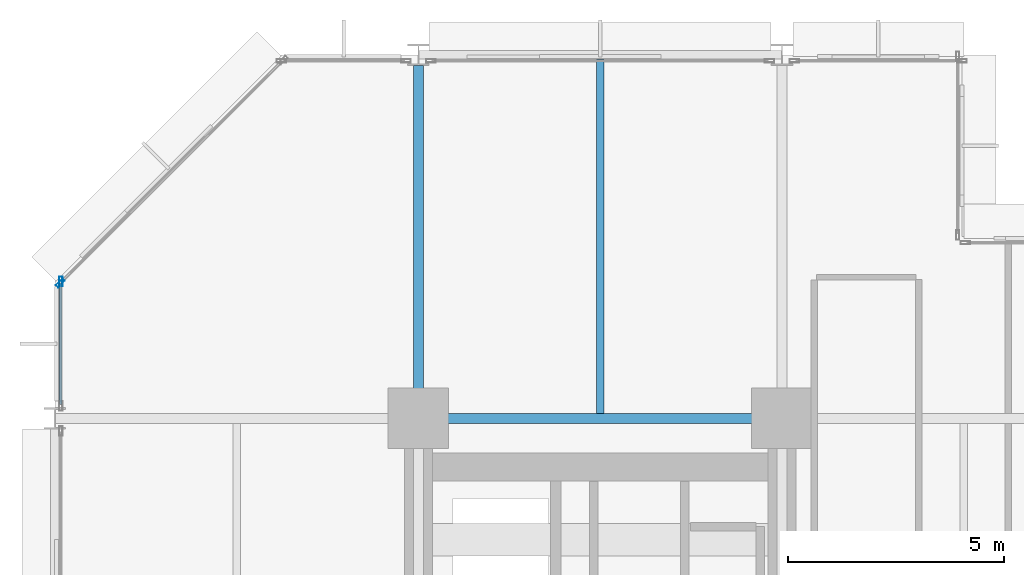
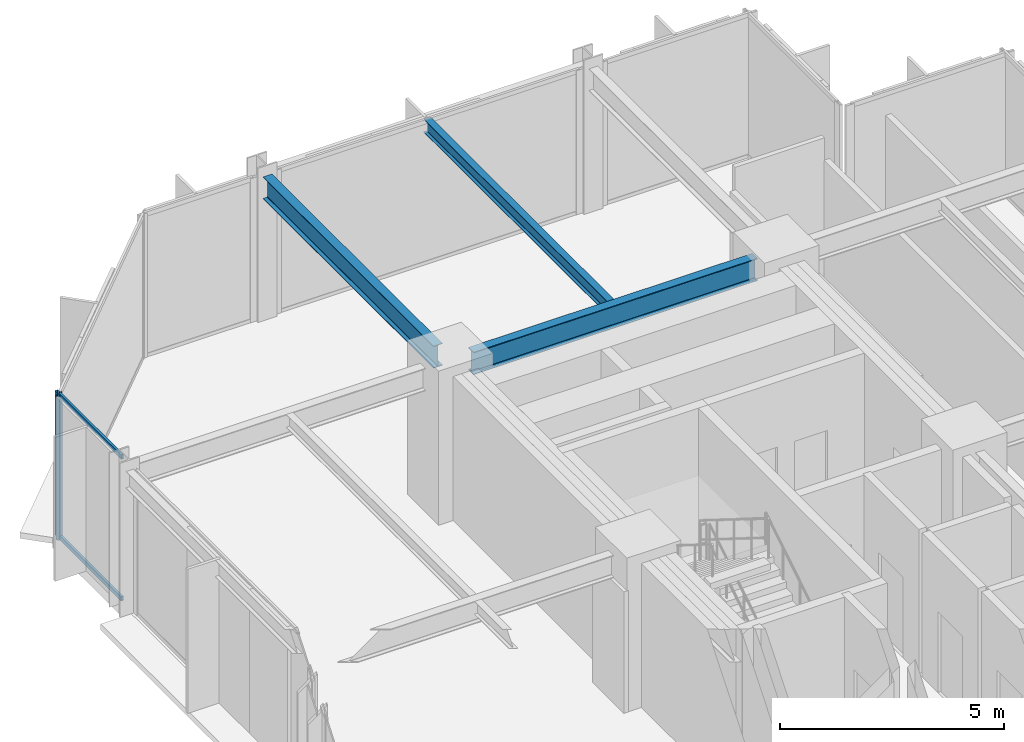
# One storey, part 17 of 30: 4 members, 3 beams, 2 elements without a shape of their own.
"""IFC4 building model written with IfcOpenShell, lengths in metres."""

from ifc_helpers import new_model, si_unit, direction, frame, origin, origin_2d, place, context, subcontext, project, spatial, hollow_rectangle, i_section, extrude, material, layer, layer_set, material_profile, profile_set, type_object, element, aggregate, save


model = new_model("IFC4")

# Units and contexts
model_context = context("Model", 3, precision=1e-05, world=origin(), true_north=direction((0.0, 1.0)))
body_context = subcontext(model_context, "Body", "Model", "MODEL_VIEW")
ifc_project = project(units=[si_unit("LENGTHUNIT", "METRE"), si_unit("AREAUNIT", "SQUARE_METRE"), si_unit("VOLUMEUNIT", "CUBIC_METRE"), si_unit("PLANEANGLEUNIT", "RADIAN"), si_unit("MASSUNIT", "GRAM", prefix="KILO")], contexts=[model_context])

# Site, building, storey
site_placement = place(None, origin())
site = spatial("IfcSite", under=ifc_project, at=site_placement, CompositionType="ELEMENT")
building_placement = place(site_placement, origin())
building = spatial("IfcBuilding", under=site, at=building_placement, Name="Nerrivon Quay Data Exchange", CompositionType="ELEMENT")
storey_placement = place(building_placement, frame((0.0, 0.0, 62.60009765625)))
storey = spatial("IfcBuildingStorey", under=building, at=storey_placement, Name="L14", CompositionType="ELEMENT", Elevation=62.60009765625)

# Beams
ifc_material_1 = material(Name="Steel Grade 350", Category="steel")
ifc_material_profile_1 = material_profile(ifc_material_1, i_section(OverallWidth=0.22900390625, OverallDepth=0.612060546875, WebThickness=0.011962890625, FlangeThickness=0.01953125, FilletRadius=0.013916015625, at=origin_2d()), Name="610UB125")
ifc_profile_set_1 = profile_set([ifc_material_profile_1], Name="Steel Grade 350")
beam_type_1 = type_object("IfcBeamType", Name="BM-G1-610UB125", PredefinedType="BEAM", material=ifc_profile_set_1)
beam_1_placement = place(storey_placement, frame((8.93994140625, 42.0, 3.618896484375), z_axis=(1.0, 0.0, 0.0), x_axis=(0.0, 1.0, 0.0)))
element("IfcBeam", 1, at=beam_1_placement, inside=storey, type_object=beam_type_1, Name="L14 EW Girder Y=42.0 (8.4..16.8)", PredefinedType="BEAM", context=body_context, shape_type="SweptSolid", body=[
    extrude(i_section(OverallWidth=0.22900390625, OverallDepth=0.612060546875, WebThickness=0.011962890625, FlangeThickness=0.01953125, FilletRadius=0.013916015625, at=origin_2d()), origin(), (0.0, 0.0, 1.0), 7.320068359375),
])
ifc_material_profile_2 = material_profile(ifc_material_1, i_section(OverallWidth=0.22802734375, OverallDepth=0.60205078125, WebThickness=0.010498046875, FlangeThickness=0.014892578125, FilletRadius=0.013916015625, at=origin_2d()), Name="610UB101")
ifc_profile_set_2 = profile_set([ifc_material_profile_2], Name="Steel Grade 350")
beam_type_2 = type_object("IfcBeamType", Name="BM-G2-610UB101", PredefinedType="BEAM", material=ifc_profile_set_2)
beam_2_placement = place(storey_placement, frame((8.39990234375, 42.5400390625, 3.6240234375), z_axis=(0.0, 1.0, 0.0), x_axis=(-1.0, 0.0, 0.0)))
element("IfcBeam", 2, at=beam_2_placement, inside=storey, type_object=beam_type_2, Name="L14 NS Girder X=8.4 (42.0..50.4)", PredefinedType="BEAM", context=body_context, shape_type="SweptSolid", body=[
    extrude(i_section(OverallWidth=0.22802734375, OverallDepth=0.60205078125, WebThickness=0.010498046875, FlangeThickness=0.014892578125, FilletRadius=0.013916015625, at=origin_2d()), origin(), (0.0, 0.0, 1.0), 7.60986328125),
])
ifc_material_profile_3 = material_profile(ifc_material_1, i_section(OverallWidth=0.172119140625, OverallDepth=0.35888671875, WebThickness=0.008056640625, FlangeThickness=0.012939453125, FilletRadius=0.011474609375, at=origin_2d()), Name="360UB56.7")
ifc_profile_set_3 = profile_set([ifc_material_profile_3], Name="Steel Grade 350")
beam_type_3 = type_object("IfcBeamType", Name="BM-J3-360UB57", PredefinedType="JOIST", material=ifc_profile_set_3)
beam_3_placement = place(storey_placement, frame((12.60009765625, 42.114501953125, 3.745361328125), z_axis=(0.0, 1.0, 0.0), x_axis=(-1.0, 0.0, 0.0)))
element("IfcBeam", 3, at=beam_3_placement, inside=storey, type_object=beam_type_3, Name="L14 Secondary Joist X=12.6 (42.0..50.4)", PredefinedType="JOIST", context=body_context, shape_type="SweptSolid", body=[
    extrude(i_section(OverallWidth=0.172119140625, OverallDepth=0.35888671875, WebThickness=0.008056640625, FlangeThickness=0.012939453125, FilletRadius=0.011474609375, at=origin_2d()), origin(), (0.0, 0.0, 1.0), 8.1904296875),
])

# Curtain wall, member
ifc_material_2 = material(Name="Anodised aluminium 6063-T6", Category="aluminium")
ifc_layer = layer(ifc_material_2, 0.219970703125)
ifc_layer_set = layer_set([ifc_layer], Name="Anodised aluminium 6063-T6")
curtain_wall_type = type_object("IfcCurtainWallType", Name="CW-SYS-01", PredefinedType="NOTDEFINED", material=ifc_layer_set)
curtain_wall_1_placement = place(storey_placement, origin())
curtain_wall_1 = element("IfcCurtainWall", 4, at=curtain_wall_1_placement, inside=storey, type_object=curtain_wall_type, Name="L14 Unitised Curtain Wall 22", PredefinedType="NOTDEFINED")
ifc_material_profile_4 = material_profile(ifc_material_2, hollow_rectangle(XDim=0.074951171875, YDim=0.219970703125, WallThickness=0.00390625, at=origin_2d()), Name="ALU-MULL-220x75")
ifc_profile_set_4 = profile_set([ifc_material_profile_4], Name="Anodised aluminium 6063-T6")
member_type_1 = type_object("IfcMemberType", Name="CWM-220x75", PredefinedType="MULLION", material=ifc_profile_set_4)
member_1_placement = place(storey_placement, frame((0.139892578125, 45.16259765625, 0.0), z_axis=(0.0, 0.0, 1.0), x_axis=(-1.0, 0.0, 0.0)))
member_1 = element("IfcMember", 5, at=member_1_placement, type_object=member_type_1, Name="CW01 mullion 2", PredefinedType="MULLION", context=body_context, shape_type="SweptSolid", body=[
    extrude(hollow_rectangle(XDim=0.074951171875, YDim=0.219970703125, WallThickness=0.00390625, at=origin_2d()), origin(), (0.0, 0.0, 1.0), 3.9248046875),
])

curtain_wall_2_placement = place(storey_placement, origin())
curtain_wall_2 = element("IfcCurtainWall", 6, at=curtain_wall_2_placement, inside=storey, type_object=curtain_wall_type, Name="L14 Unitised Curtain Wall 23", PredefinedType="NOTDEFINED")
member_2_placement = place(storey_placement, frame((0.12548828125, 45.12744140625, 0.0), z_axis=(0.0, 0.0, 1.0), x_axis=(-0.707106781187, 0.707106781187, 0.0)))
member_2 = element("IfcMember", 7, at=member_2_placement, type_object=member_type_1, Name="CW01 mullion 1", PredefinedType="MULLION", context=body_context, shape_type="SweptSolid", body=[
    extrude(hollow_rectangle(XDim=0.074951171875, YDim=0.219970703125, WallThickness=0.00390625, at=origin_2d()), origin(), (0.0, 0.0, 1.0), 3.9248046875),
])
aggregate(curtain_wall_2, [member_2])

# Member
ifc_material_profile_5 = material_profile(ifc_material_2, hollow_rectangle(XDim=0.06005859375, YDim=0.1201171875, WallThickness=0.003173828125, at=origin_2d()), Name="ALU-TRAN-120x60")
ifc_profile_set_5 = profile_set([ifc_material_profile_5], Name="Anodised aluminium 6063-T6")
member_type_2 = type_object("IfcMemberType", Name="CWT-120x60", PredefinedType="USERDEFINED", material=ifc_profile_set_5)
member_3_placement = place(storey_placement, frame((0.139892578125, 42.324951171875, 0.032470703125), z_axis=(0.0, 1.0, 0.0), x_axis=(-1.0, 0.0, 0.0)))
member_3 = element("IfcMember", 8, at=member_3_placement, type_object=member_type_2, Name="CW01 transom 1.1", ObjectType="TRANSOM", PredefinedType="USERDEFINED", context=body_context, shape_type="SweptSolid", body=[
    extrude(hollow_rectangle(XDim=0.06005859375, YDim=0.1201171875, WallThickness=0.003173828125, at=origin_2d()), origin(), (0.0, 0.0, 1.0), 2.800048828125),
])

member_4_placement = place(storey_placement, frame((0.139892578125, 42.324951171875, 3.892333984375), z_axis=(0.0, 1.0, 0.0), x_axis=(-1.0, 0.0, 0.0)))
member_4 = element("IfcMember", 9, at=member_4_placement, type_object=member_type_2, Name="CW01 transom 1.2", ObjectType="TRANSOM", PredefinedType="USERDEFINED", context=body_context, shape_type="SweptSolid", body=[
    extrude(hollow_rectangle(XDim=0.06005859375, YDim=0.1201171875, WallThickness=0.003173828125, at=origin_2d()), origin(), (0.0, 0.0, 1.0), 2.800048828125),
])

aggregate(curtain_wall_1, [member_1, member_3, member_4])

save(model, "model.ifc")
